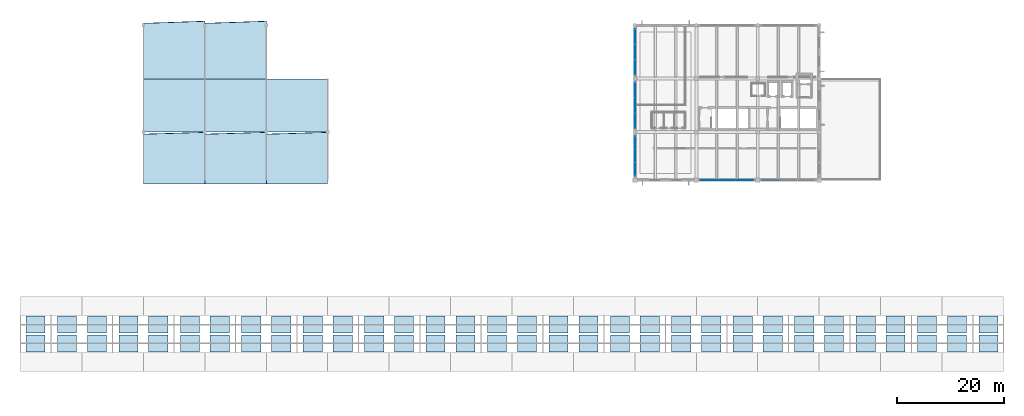
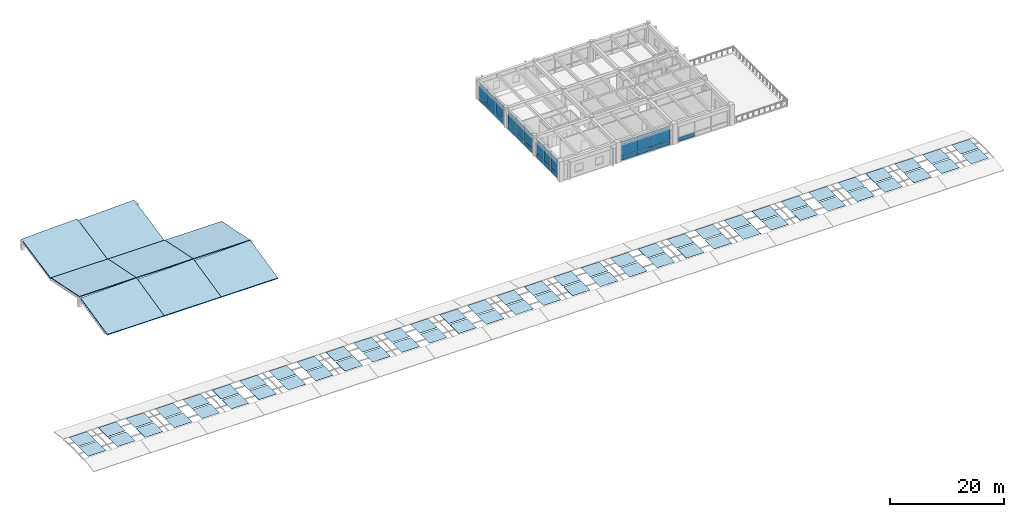
# One storey, part 21 of 27: 101 plates, 8 slabs, 5 elements without a shape of their own.
"""IFC4 building model written with IfcOpenShell, lengths in metres."""

from ifc_helpers import new_model, si_unit, direction, frame, origin, origin_2d, place, context, subcontext, project, spatial, polyline, rectangle, outline, extrude, material, layer, layer_set, type_object, element, aggregate, save


model = new_model("IFC4")

# Units and contexts
model_context = context("Model", 3, precision=1e-05, world=origin(), true_north=direction((0.0, 1.0)))
body_context = subcontext(model_context, "Body", "Model", "MODEL_VIEW")
ifc_project = project(units=[si_unit("LENGTHUNIT", "METRE"), si_unit("AREAUNIT", "SQUARE_METRE"), si_unit("VOLUMEUNIT", "CUBIC_METRE"), si_unit("PLANEANGLEUNIT", "RADIAN"), si_unit("MASSUNIT", "GRAM", prefix="KILO")], contexts=[model_context])

# Site, building, storey
site_placement = place(None, origin())
site = spatial("IfcSite", under=ifc_project, at=site_placement, CompositionType="ELEMENT")
building_placement = place(site_placement, origin())
building = spatial("IfcBuilding", under=site, at=building_placement, Name="Ologun Quay Terminus", CompositionType="ELEMENT")
storey_placement = place(building_placement, frame((0.0, 0.0, 22.4599609375)))
storey = spatial("IfcBuildingStorey", under=building, at=storey_placement, Name="L05", CompositionType="ELEMENT", Elevation=22.4599609375)

# Curtain wall, plates
ifc_material_1 = material(Name="Aluminium 6063-T6", Category="aluminium")
curtain_wall_type = type_object("IfcCurtainWallType", Name="Operations Wing Canteen Curtain Wall L05 10600x4050", PredefinedType="USERDEFINED", material=ifc_material_1)
curtain_wall_1_placement = place(storey_placement, origin())
curtain_wall_1 = element("IfcCurtainWall", 1, at=curtain_wall_1_placement, inside=storey, type_object=curtain_wall_type, Name="CW-28 Curtain Wall CW-L05-156", ObjectType="UNITISED CURTAIN WALL", PredefinedType="USERDEFINED")
ifc_material_2 = material(Name="Glass", Category="glass")
ifc_layer_1 = layer(ifc_material_2, 0.035888671875)
ifc_layer_set_1 = layer_set([ifc_layer_1], Name="Glass")
plate_type_1 = type_object("IfcPlateType", Name="High-Selectivity Harbour Glazed Panel 36", PredefinedType="CURTAIN_PANEL", material=ifc_layer_set_1)
plate_1_placement = place(storey_placement, frame((115.0, 87.859130859375, 0.93017578125), z_axis=(0.0, 0.0, 1.0), x_axis=(0.0, 1.0, 0.0)))
plate_1 = element("IfcPlate", 2, at=plate_1_placement, type_object=plate_type_1, Name="CW-L05-156 Panel B1-2", PredefinedType="CURTAIN_PANEL", context=body_context, shape_type="SweptSolid", body=[
    extrude(rectangle(XDim=2.478271484375, YDim=0.035888671875, at=origin_2d()), origin(), (0.0, 0.0, 1.0), 2.489990234375),
])
plate_2_placement = place(storey_placement, frame((115.0, 87.859130859375, 3.47998046875), z_axis=(0.0, 0.0, 1.0), x_axis=(0.0, 1.0, 0.0)))
plate_2 = element("IfcPlate", 3, at=plate_2_placement, type_object=plate_type_1, Name="CW-L05-156 Panel B1-3", PredefinedType="CURTAIN_PANEL", context=body_context, shape_type="SweptSolid", body=[
    extrude(rectangle(XDim=2.478271484375, YDim=0.035888671875, at=origin_2d()), origin(), (0.0, 0.0, 1.0), 0.639892578125),
])
plate_3_placement = place(storey_placement, frame((115.0, 90.33740234375, 0.93017578125), z_axis=(0.0, 0.0, 1.0), x_axis=(0.0, 1.0, 0.0)))
plate_3 = element("IfcPlate", 4, at=plate_3_placement, type_object=plate_type_1, Name="CW-L05-156 Panel B2-2", PredefinedType="CURTAIN_PANEL", context=body_context, shape_type="SweptSolid", body=[
    extrude(rectangle(XDim=2.478271484375, YDim=0.035888671875, at=origin_2d()), origin(), (0.0, 0.0, 1.0), 2.489990234375),
])
plate_4_placement = place(storey_placement, frame((115.0, 90.33740234375, 3.47998046875), z_axis=(0.0, 0.0, 1.0), x_axis=(0.0, 1.0, 0.0)))
plate_4 = element("IfcPlate", 5, at=plate_4_placement, type_object=plate_type_1, Name="CW-L05-156 Panel B2-3", PredefinedType="CURTAIN_PANEL", context=body_context, shape_type="SweptSolid", body=[
    extrude(rectangle(XDim=2.478271484375, YDim=0.035888671875, at=origin_2d()), origin(), (0.0, 0.0, 1.0), 0.639892578125),
])
plate_5_placement = place(storey_placement, frame((115.0, 92.81591796875, 0.93017578125), z_axis=(0.0, 0.0, 1.0), x_axis=(0.0, 1.0, 0.0)))
plate_5 = element("IfcPlate", 6, at=plate_5_placement, type_object=plate_type_1, Name="CW-L05-156 Panel B3-2", PredefinedType="CURTAIN_PANEL", context=body_context, shape_type="SweptSolid", body=[
    extrude(rectangle(XDim=2.478271484375, YDim=0.035888671875, at=origin_2d()), origin(), (0.0, 0.0, 1.0), 2.489990234375),
])
plate_6_placement = place(storey_placement, frame((115.0, 92.81591796875, 3.47998046875), z_axis=(0.0, 0.0, 1.0), x_axis=(0.0, 1.0, 0.0)))
plate_6 = element("IfcPlate", 7, at=plate_6_placement, type_object=plate_type_1, Name="CW-L05-156 Panel B3-3", PredefinedType="CURTAIN_PANEL", context=body_context, shape_type="SweptSolid", body=[
    extrude(rectangle(XDim=2.478271484375, YDim=0.035888671875, at=origin_2d()), origin(), (0.0, 0.0, 1.0), 0.639892578125),
])

curtain_wall_2_placement = place(storey_placement, origin())
curtain_wall_2 = element("IfcCurtainWall", 8, at=curtain_wall_2_placement, inside=storey, type_object=curtain_wall_type, Name="CW-28 Curtain Wall CW-L05-157", ObjectType="UNITISED CURTAIN WALL", PredefinedType="USERDEFINED")
plate_7_placement = place(storey_placement, frame((115.0, 96.96337890625, 0.93017578125), z_axis=(0.0, 0.0, 1.0), x_axis=(0.0, 1.0, 0.0)))
plate_7 = element("IfcPlate", 9, at=plate_7_placement, type_object=plate_type_1, Name="CW-L05-157 Panel B1-2", PredefinedType="CURTAIN_PANEL", context=body_context, shape_type="SweptSolid", body=[
    extrude(rectangle(XDim=2.836669921875, YDim=0.035888671875, at=origin_2d()), origin(), (0.0, 0.0, 1.0), 2.489990234375),
])
plate_8_placement = place(storey_placement, frame((115.0, 96.96337890625, 3.47998046875), z_axis=(0.0, 0.0, 1.0), x_axis=(0.0, 1.0, 0.0)))
plate_8 = element("IfcPlate", 10, at=plate_8_placement, type_object=plate_type_1, Name="CW-L05-157 Panel B1-3", PredefinedType="CURTAIN_PANEL", context=body_context, shape_type="SweptSolid", body=[
    extrude(rectangle(XDim=2.836669921875, YDim=0.035888671875, at=origin_2d()), origin(), (0.0, 0.0, 1.0), 0.639892578125),
])
plate_9_placement = place(storey_placement, frame((115.0, 99.800048828125, 0.93017578125), z_axis=(0.0, 0.0, 1.0), x_axis=(0.0, 1.0, 0.0)))
plate_9 = element("IfcPlate", 11, at=plate_9_placement, type_object=plate_type_1, Name="CW-L05-157 Panel B2-2", PredefinedType="CURTAIN_PANEL", context=body_context, shape_type="SweptSolid", body=[
    extrude(rectangle(XDim=2.836669921875, YDim=0.035888671875, at=origin_2d()), origin(), (0.0, 0.0, 1.0), 2.489990234375),
])
plate_10_placement = place(storey_placement, frame((115.0, 99.800048828125, 3.47998046875), z_axis=(0.0, 0.0, 1.0), x_axis=(0.0, 1.0, 0.0)))
plate_10 = element("IfcPlate", 12, at=plate_10_placement, type_object=plate_type_1, Name="CW-L05-157 Panel B2-3", PredefinedType="CURTAIN_PANEL", context=body_context, shape_type="SweptSolid", body=[
    extrude(rectangle(XDim=2.836669921875, YDim=0.035888671875, at=origin_2d()), origin(), (0.0, 0.0, 1.0), 0.639892578125),
])
plate_11_placement = place(storey_placement, frame((115.0, 102.63671875, 0.93017578125), z_axis=(0.0, 0.0, 1.0), x_axis=(0.0, 1.0, 0.0)))
plate_11 = element("IfcPlate", 13, at=plate_11_placement, type_object=plate_type_1, Name="CW-L05-157 Panel B3-2", PredefinedType="CURTAIN_PANEL", context=body_context, shape_type="SweptSolid", body=[
    extrude(rectangle(XDim=2.836669921875, YDim=0.035888671875, at=origin_2d()), origin(), (0.0, 0.0, 1.0), 2.489990234375),
])
plate_12_placement = place(storey_placement, frame((115.0, 102.63671875, 3.47998046875), z_axis=(0.0, 0.0, 1.0), x_axis=(0.0, 1.0, 0.0)))
plate_12 = element("IfcPlate", 14, at=plate_12_placement, type_object=plate_type_1, Name="CW-L05-157 Panel B3-3", PredefinedType="CURTAIN_PANEL", context=body_context, shape_type="SweptSolid", body=[
    extrude(rectangle(XDim=2.836669921875, YDim=0.035888671875, at=origin_2d()), origin(), (0.0, 0.0, 1.0), 0.639892578125),
])

curtain_wall_3_placement = place(storey_placement, origin())
curtain_wall_3 = element("IfcCurtainWall", 15, at=curtain_wall_3_placement, inside=storey, type_object=curtain_wall_type, Name="CW-28 Curtain Wall CW-L05-158", ObjectType="UNITISED CURTAIN WALL", PredefinedType="USERDEFINED")
plate_13_placement = place(storey_placement, frame((115.0, 106.96337890625, 0.93017578125), z_axis=(0.0, 0.0, 1.0), x_axis=(0.0, 1.0, 0.0)))
plate_13 = element("IfcPlate", 16, at=plate_13_placement, type_object=plate_type_1, Name="CW-L05-158 Panel B1-2", PredefinedType="CURTAIN_PANEL", context=body_context, shape_type="SweptSolid", body=[
    extrude(rectangle(XDim=2.836669921875, YDim=0.035888671875, at=origin_2d()), origin(), (0.0, 0.0, 1.0), 2.489990234375),
])
plate_14_placement = place(storey_placement, frame((115.0, 106.96337890625, 3.47998046875), z_axis=(0.0, 0.0, 1.0), x_axis=(0.0, 1.0, 0.0)))
plate_14 = element("IfcPlate", 17, at=plate_14_placement, type_object=plate_type_1, Name="CW-L05-158 Panel B1-3", PredefinedType="CURTAIN_PANEL", context=body_context, shape_type="SweptSolid", body=[
    extrude(rectangle(XDim=2.836669921875, YDim=0.035888671875, at=origin_2d()), origin(), (0.0, 0.0, 1.0), 0.639892578125),
])
plate_15_placement = place(storey_placement, frame((115.0, 109.800048828125, 0.93017578125), z_axis=(0.0, 0.0, 1.0), x_axis=(0.0, 1.0, 0.0)))
plate_15 = element("IfcPlate", 18, at=plate_15_placement, type_object=plate_type_1, Name="CW-L05-158 Panel B2-2", PredefinedType="CURTAIN_PANEL", context=body_context, shape_type="SweptSolid", body=[
    extrude(rectangle(XDim=2.836669921875, YDim=0.035888671875, at=origin_2d()), origin(), (0.0, 0.0, 1.0), 2.489990234375),
])
plate_16_placement = place(storey_placement, frame((115.0, 109.800048828125, 3.47998046875), z_axis=(0.0, 0.0, 1.0), x_axis=(0.0, 1.0, 0.0)))
plate_16 = element("IfcPlate", 19, at=plate_16_placement, type_object=plate_type_1, Name="CW-L05-158 Panel B2-3", PredefinedType="CURTAIN_PANEL", context=body_context, shape_type="SweptSolid", body=[
    extrude(rectangle(XDim=2.836669921875, YDim=0.035888671875, at=origin_2d()), origin(), (0.0, 0.0, 1.0), 0.639892578125),
])
plate_17_placement = place(storey_placement, frame((115.0, 112.63671875, 0.93017578125), z_axis=(0.0, 0.0, 1.0), x_axis=(0.0, 1.0, 0.0)))
plate_17 = element("IfcPlate", 20, at=plate_17_placement, type_object=plate_type_1, Name="CW-L05-158 Panel B3-2", PredefinedType="CURTAIN_PANEL", context=body_context, shape_type="SweptSolid", body=[
    extrude(rectangle(XDim=2.836669921875, YDim=0.035888671875, at=origin_2d()), origin(), (0.0, 0.0, 1.0), 2.489990234375),
])
plate_18_placement = place(storey_placement, frame((115.0, 112.63671875, 3.47998046875), z_axis=(0.0, 0.0, 1.0), x_axis=(0.0, 1.0, 0.0)))
plate_18 = element("IfcPlate", 21, at=plate_18_placement, type_object=plate_type_1, Name="CW-L05-158 Panel B3-3", PredefinedType="CURTAIN_PANEL", context=body_context, shape_type="SweptSolid", body=[
    extrude(rectangle(XDim=2.836669921875, YDim=0.035888671875, at=origin_2d()), origin(), (0.0, 0.0, 1.0), 0.639892578125),
])

curtain_wall_4_placement = place(storey_placement, origin())
curtain_wall_4 = element("IfcCurtainWall", 22, at=curtain_wall_4_placement, inside=storey, type_object=curtain_wall_type, Name="CW-28 Curtain Wall CW-L05-152", ObjectType="UNITISED CURTAIN WALL", PredefinedType="USERDEFINED")
ifc_material_3 = material(Name="Aluminium 6063-T6", Category="aluminium")
ifc_layer_2 = layer(ifc_material_3, 0.050048828125)
ifc_layer_set_2 = layer_set([ifc_layer_2], Name="Aluminium 6063-T6")
plate_type_2 = type_object("IfcPlateType", Name="Insulated Aluminium Shadow-Box Spandrel 50", PredefinedType="CURTAIN_PANEL", material=ifc_layer_set_2)
plate_19_placement = place(storey_placement, frame((128.96337890625, 85.800048828125, 0.02978515625), z_axis=(0.0, 0.0, 1.0), x_axis=(1.0, 0.0, 0.0)))
plate_19 = element("IfcPlate", 23, at=plate_19_placement, type_object=plate_type_2, Name="CW-L05-152 Panel B1-1", PredefinedType="CURTAIN_PANEL", context=body_context, shape_type="SweptSolid", body=[
    extrude(rectangle(XDim=3.28662109375, YDim=0.050048828125, at=origin_2d()), origin(), (0.0, 0.0, 1.0), 0.840087890625),
])
plate_20_placement = place(storey_placement, frame((132.25, 85.800048828125, 0.02978515625), z_axis=(0.0, 0.0, 1.0), x_axis=(1.0, 0.0, 0.0)))
plate_20 = element("IfcPlate", 24, at=plate_20_placement, type_object=plate_type_2, Name="CW-L05-152 Panel B2-1", PredefinedType="CURTAIN_PANEL", context=body_context, shape_type="SweptSolid", body=[
    extrude(rectangle(XDim=3.28662109375, YDim=0.050048828125, at=origin_2d()), origin(), (0.0, 0.0, 1.0), 0.840087890625),
])
plate_21_placement = place(storey_placement, frame((135.53662109375, 85.800048828125, 0.02978515625), z_axis=(0.0, 0.0, 1.0), x_axis=(1.0, 0.0, 0.0)))
plate_21 = element("IfcPlate", 25, at=plate_21_placement, type_object=plate_type_2, Name="CW-L05-152 Panel B3-1", PredefinedType="CURTAIN_PANEL", context=body_context, shape_type="SweptSolid", body=[
    extrude(rectangle(XDim=3.28662109375, YDim=0.050048828125, at=origin_2d()), origin(), (0.0, 0.0, 1.0), 0.840087890625),
])

# Curtain wall, plate
curtain_wall_5_placement = place(storey_placement, origin())
curtain_wall_5 = element("IfcCurtainWall", 26, at=curtain_wall_5_placement, inside=storey, type_object=curtain_wall_type, Name="CW-28 Curtain Wall CW-L05-153", ObjectType="UNITISED CURTAIN WALL", PredefinedType="USERDEFINED")
plate_22_placement = place(storey_placement, frame((140.46337890625, 85.800048828125, 0.02978515625), z_axis=(0.0, 0.0, 1.0), x_axis=(1.0, 0.0, 0.0)))
plate_22 = element("IfcPlate", 27, at=plate_22_placement, type_object=plate_type_2, Name="CW-L05-153 Panel B1-1", PredefinedType="CURTAIN_PANEL", context=body_context, shape_type="SweptSolid", body=[
    extrude(rectangle(XDim=3.28662109375, YDim=0.050048828125, at=origin_2d()), origin(), (0.0, 0.0, 1.0), 0.840087890625),
])
aggregate(curtain_wall_5, [plate_22])

# Plate
plate_23_placement = place(storey_placement, frame((115.0, 87.859130859375, 0.02978515625), z_axis=(0.0, 0.0, 1.0), x_axis=(0.0, 1.0, 0.0)))
plate_23 = element("IfcPlate", 28, at=plate_23_placement, type_object=plate_type_2, Name="CW-L05-156 Panel B1-1", PredefinedType="CURTAIN_PANEL", context=body_context, shape_type="SweptSolid", body=[
    extrude(rectangle(XDim=2.478271484375, YDim=0.050048828125, at=origin_2d()), origin(), (0.0, 0.0, 1.0), 0.840087890625),
])

plate_24_placement = place(storey_placement, frame((115.0, 90.33740234375, 0.02978515625), z_axis=(0.0, 0.0, 1.0), x_axis=(0.0, 1.0, 0.0)))
plate_24 = element("IfcPlate", 29, at=plate_24_placement, type_object=plate_type_2, Name="CW-L05-156 Panel B2-1", PredefinedType="CURTAIN_PANEL", context=body_context, shape_type="SweptSolid", body=[
    extrude(rectangle(XDim=2.478271484375, YDim=0.050048828125, at=origin_2d()), origin(), (0.0, 0.0, 1.0), 0.840087890625),
])

plate_25_placement = place(storey_placement, frame((115.0, 92.81591796875, 0.02978515625), z_axis=(0.0, 0.0, 1.0), x_axis=(0.0, 1.0, 0.0)))
plate_25 = element("IfcPlate", 30, at=plate_25_placement, type_object=plate_type_2, Name="CW-L05-156 Panel B3-1", PredefinedType="CURTAIN_PANEL", context=body_context, shape_type="SweptSolid", body=[
    extrude(rectangle(XDim=2.478271484375, YDim=0.050048828125, at=origin_2d()), origin(), (0.0, 0.0, 1.0), 0.840087890625),
])

aggregate(curtain_wall_1, [plate_23, plate_1, plate_2, plate_24, plate_3, plate_4, plate_25, plate_5, plate_6])

plate_26_placement = place(storey_placement, frame((115.0, 96.96337890625, 0.02978515625), z_axis=(0.0, 0.0, 1.0), x_axis=(0.0, 1.0, 0.0)))
plate_26 = element("IfcPlate", 31, at=plate_26_placement, type_object=plate_type_2, Name="CW-L05-157 Panel B1-1", PredefinedType="CURTAIN_PANEL", context=body_context, shape_type="SweptSolid", body=[
    extrude(rectangle(XDim=2.836669921875, YDim=0.050048828125, at=origin_2d()), origin(), (0.0, 0.0, 1.0), 0.840087890625),
])

plate_27_placement = place(storey_placement, frame((115.0, 99.800048828125, 0.02978515625), z_axis=(0.0, 0.0, 1.0), x_axis=(0.0, 1.0, 0.0)))
plate_27 = element("IfcPlate", 32, at=plate_27_placement, type_object=plate_type_2, Name="CW-L05-157 Panel B2-1", PredefinedType="CURTAIN_PANEL", context=body_context, shape_type="SweptSolid", body=[
    extrude(rectangle(XDim=2.836669921875, YDim=0.050048828125, at=origin_2d()), origin(), (0.0, 0.0, 1.0), 0.840087890625),
])

plate_28_placement = place(storey_placement, frame((115.0, 102.63671875, 0.02978515625), z_axis=(0.0, 0.0, 1.0), x_axis=(0.0, 1.0, 0.0)))
plate_28 = element("IfcPlate", 33, at=plate_28_placement, type_object=plate_type_2, Name="CW-L05-157 Panel B3-1", PredefinedType="CURTAIN_PANEL", context=body_context, shape_type="SweptSolid", body=[
    extrude(rectangle(XDim=2.836669921875, YDim=0.050048828125, at=origin_2d()), origin(), (0.0, 0.0, 1.0), 0.840087890625),
])

aggregate(curtain_wall_2, [plate_26, plate_7, plate_8, plate_27, plate_9, plate_10, plate_28, plate_11, plate_12])

plate_29_placement = place(storey_placement, frame((115.0, 106.96337890625, 0.02978515625), z_axis=(0.0, 0.0, 1.0), x_axis=(0.0, 1.0, 0.0)))
plate_29 = element("IfcPlate", 34, at=plate_29_placement, type_object=plate_type_2, Name="CW-L05-158 Panel B1-1", PredefinedType="CURTAIN_PANEL", context=body_context, shape_type="SweptSolid", body=[
    extrude(rectangle(XDim=2.836669921875, YDim=0.050048828125, at=origin_2d()), origin(), (0.0, 0.0, 1.0), 0.840087890625),
])

plate_30_placement = place(storey_placement, frame((115.0, 109.800048828125, 0.02978515625), z_axis=(0.0, 0.0, 1.0), x_axis=(0.0, 1.0, 0.0)))
plate_30 = element("IfcPlate", 35, at=plate_30_placement, type_object=plate_type_2, Name="CW-L05-158 Panel B2-1", PredefinedType="CURTAIN_PANEL", context=body_context, shape_type="SweptSolid", body=[
    extrude(rectangle(XDim=2.836669921875, YDim=0.050048828125, at=origin_2d()), origin(), (0.0, 0.0, 1.0), 0.840087890625),
])

plate_31_placement = place(storey_placement, frame((115.0, 112.63671875, 0.02978515625), z_axis=(0.0, 0.0, 1.0), x_axis=(0.0, 1.0, 0.0)))
plate_31 = element("IfcPlate", 36, at=plate_31_placement, type_object=plate_type_2, Name="CW-L05-158 Panel B3-1", PredefinedType="CURTAIN_PANEL", context=body_context, shape_type="SweptSolid", body=[
    extrude(rectangle(XDim=2.836669921875, YDim=0.050048828125, at=origin_2d()), origin(), (0.0, 0.0, 1.0), 0.840087890625),
])

aggregate(curtain_wall_3, [plate_29, plate_13, plate_14, plate_30, plate_15, plate_16, plate_31, plate_17, plate_18])

# Slabs
ifc_material_4 = material(Name="Concrete C40/50", Category="concrete")
ifc_layer_3 = layer(ifc_material_4, 0.199951171875)
ifc_layer_set_3 = layer_set([ifc_layer_3], Name="Concrete C40/50")
slab_type = type_object("IfcSlabType", Name="Pitched Overhanging Concrete Roof Slab 200", PredefinedType="ROOF", material=ifc_layer_set_3)
slab_1_placement = place(storey_placement, frame((23.0, 85.0400390625, -0.1708984375), z_axis=(-1.583221e-06, -0.220934225029, 0.975288710182), x_axis=(0.999999999999, -3.49788e-07, 1.544098e-06)))
element("IfcSlab", 37, at=slab_1_placement, inside=storey, type_object=slab_type, Name="SL-RF West Pavilion South Pitch 1", PredefinedType="ROOF", context=body_context, shape_type="SweptSolid", body=[
    extrude(outline(polyline([(0.0, 0.0), (11.499999999985588, -6.088049308390284e-22), (11.500000000014413, 9.966253709487502), (-2.882578353412339e-11, 9.607277236455971), (0.0, 0.0)])), origin(), (0.0, 0.0, -1.0), 0.199951171875),
])
slab_2_placement = place(storey_placement, frame((23.0, 94.840087890625, 2.03173828125), z_axis=(0.0, 0.199861739929, 0.979824109171), x_axis=(1.0, 0.0, 0.0)))
element("IfcSlab", 38, at=slab_2_placement, inside=storey, type_object=slab_type, Name="SL-RF West Pavilion Inner Pitch 1", PredefinedType="ROOF", context=body_context, shape_type="SweptSolid", body=[
    extrude(outline(polyline([(0.0, 0.0), (11.5, 0.0), (11.5, 10.12418635360441), (0.0, 10.12418635360441), (0.0, 0.0)])), origin(), (0.0, 0.0, -1.0), 0.199951171875),
])
slab_3_placement = place(storey_placement, frame((23.0, 104.840087890625, -0.15185546875), z_axis=(-1.146822e-06, -0.199615601511, 0.979874283585), x_axis=(0.999999999999, -2.28924e-07, 1.123742e-06)))
element("IfcSlab", 39, at=slab_3_placement, inside=storey, type_object=slab_type, Name="SL-RF West Pavilion Harbour Pitch 1", PredefinedType="ROOF", context=body_context, shape_type="SweptSolid", body=[
    extrude(outline(polyline([(0.0, 0.0), (11.499999999992438, 0.0), (11.500000000007564, 10.940151726928372), (-1.512481752381851e-11, 10.531781228465892), (0.0, 0.0)])), origin(), (0.0, 0.0, -1.0), 0.199951171875),
])
slab_4_placement = place(storey_placement, frame((34.5, 85.0400390625, -0.1708984375), z_axis=(-1.583221e-06, -0.220934225029, 0.975288710182), x_axis=(0.999999999999, -3.49788e-07, 1.544098e-06)))
element("IfcSlab", 40, at=slab_4_placement, inside=storey, type_object=slab_type, Name="SL-RF West Pavilion South Pitch 2", PredefinedType="ROOF", context=body_context, shape_type="SweptSolid", body=[
    extrude(outline(polyline([(0.0, 0.0), (11.499999999985588, -6.088049308390284e-22), (11.500000000014413, 9.966253709487502), (-2.882578353412339e-11, 9.607277236455971), (0.0, 0.0)])), origin(), (0.0, 0.0, -1.0), 0.199951171875),
])
slab_5_placement = place(storey_placement, frame((34.5, 94.840087890625, 2.03173828125), z_axis=(0.0, 0.199861739929, 0.979824109171), x_axis=(1.0, 0.0, 0.0)))
element("IfcSlab", 41, at=slab_5_placement, inside=storey, type_object=slab_type, Name="SL-RF West Pavilion Inner Pitch 2", PredefinedType="ROOF", context=body_context, shape_type="SweptSolid", body=[
    extrude(outline(polyline([(0.0, 0.0), (11.5, 0.0), (11.5, 10.12418635360441), (0.0, 10.12418635360441), (0.0, 0.0)])), origin(), (0.0, 0.0, -1.0), 0.199951171875),
])
slab_6_placement = place(storey_placement, frame((34.5, 104.840087890625, -0.15185546875), z_axis=(-1.146822e-06, -0.199615601511, 0.979874283585), x_axis=(0.999999999999, -2.28924e-07, 1.123742e-06)))
element("IfcSlab", 42, at=slab_6_placement, inside=storey, type_object=slab_type, Name="SL-RF West Pavilion Harbour Pitch 2", PredefinedType="ROOF", context=body_context, shape_type="SweptSolid", body=[
    extrude(outline(polyline([(0.0, 0.0), (11.499999999992438, 0.0), (11.500000000007564, 10.940151726928372), (-1.512481752381851e-11, 10.531781228465892), (0.0, 0.0)])), origin(), (0.0, 0.0, -1.0), 0.199951171875),
])
slab_7_placement = place(storey_placement, frame((46.0, 85.0400390625, -0.1708984375), z_axis=(-1.583221e-06, -0.220934225029, 0.975288710182), x_axis=(0.999999999999, -3.49788e-07, 1.544098e-06)))
element("IfcSlab", 43, at=slab_7_placement, inside=storey, type_object=slab_type, Name="SL-RF West Pavilion South Pitch 3", PredefinedType="ROOF", context=body_context, shape_type="SweptSolid", body=[
    extrude(outline(polyline([(0.0, 0.0), (11.499999999985588, -6.088049308390284e-22), (11.500000000014413, 9.966253709487502), (-2.882578353412339e-11, 9.607277236455971), (0.0, 0.0)])), origin(), (0.0, 0.0, -1.0), 0.199951171875),
])
slab_8_placement = place(storey_placement, frame((46.0, 94.840087890625, 2.03173828125), z_axis=(0.0, 0.199861739929, 0.979824109171), x_axis=(1.0, 0.0, 0.0)))
element("IfcSlab", 44, at=slab_8_placement, inside=storey, type_object=slab_type, Name="SL-RF West Pavilion Inner Pitch 3", PredefinedType="ROOF", context=body_context, shape_type="SweptSolid", body=[
    extrude(outline(polyline([(0.0, 0.0), (11.5, 0.0), (11.5, 10.12418635360441), (0.0, 10.12418635360441), (0.0, 0.0)])), origin(), (0.0, 0.0, -1.0), 0.199951171875),
])

# Plates
ifc_material_5 = material(Name="Glass", Category="glass")
ifc_layer_4 = layer(ifc_material_5, 0.02587890625)
ifc_layer_set_4 = layer_set([ifc_layer_4], Name="Glass")
plate_type_3 = type_object("IfcPlateType", Name="Ridge Skylight Laminated Glass Panel 26", PredefinedType="USERDEFINED", material=ifc_layer_set_4)
for number, where, z_axis, x_axis, name in (
    (45, (2.800048828125, 55.25, 0.505126953125), (0.0, 0.0, 1.0), (1.0, 0.0, 0.0), "SKG-01 Ridge Skylight Panel B1-5"),
    (46, (8.699951171875, 55.25, 0.505126953125), (0.0, 0.0, 1.0), (1.0, 0.0, 0.0), "SKG-01 Ridge Skylight Panel B1-5"),
    (47, (2.800048828125, 58.75, 0.505126953125), (0.0, 0.0, 1.0), (1.0, 0.0, 0.0), "SKG-01 Ridge Skylight Panel B1-6"),
    (48, (8.699951171875, 58.75, 0.505126953125), (0.0, 0.0, 1.0), (1.0, 0.0, 0.0), "SKG-01 Ridge Skylight Panel B1-6"),
    (49, (14.300048828125, 55.25, 0.505126953125), (0.0, 0.0, 1.0), (1.0, 0.0, 0.0), "SKG-01 Ridge Skylight Panel B2-5"),
    (50, (20.199951171875, 55.25, 0.505126953125), (0.0, 0.0, 1.0), (1.0, 0.0, 0.0), "SKG-01 Ridge Skylight Panel B2-5"),
    (51, (14.300048828125, 58.75, 0.505126953125), (0.0, 0.0, 1.0), (1.0, 0.0, 0.0), "SKG-01 Ridge Skylight Panel B2-6"),
    (52, (20.199951171875, 58.75, 0.505126953125), (0.0, 0.0, 1.0), (1.0, 0.0, 0.0), "SKG-01 Ridge Skylight Panel B2-6"),
    (53, (25.800048828125, 55.25, 0.505126953125), (0.0, 0.0, 1.0), (1.0, 0.0, 0.0), "SKG-01 Ridge Skylight Panel B3-5"),
    (54, (31.699951171875, 55.25, 0.505126953125), (0.0, 0.0, 1.0), (1.0, 0.0, 0.0), "SKG-01 Ridge Skylight Panel B3-5"),
    (55, (25.800048828125, 58.75, 0.505126953125), (0.0, 0.0, 1.0), (1.0, 0.0, 0.0), "SKG-01 Ridge Skylight Panel B3-6"),
    (56, (31.699951171875, 58.75, 0.505126953125), (0.0, 0.0, 1.0), (1.0, 0.0, 0.0), "SKG-01 Ridge Skylight Panel B3-6"),
    (57, (37.300048828125, 55.25, 0.505126953125), (0.0, 0.0, 1.0), (1.0, 0.0, 0.0), "SKG-01 Ridge Skylight Panel B4-5"),
    (58, (43.199951171875, 55.25, 0.505126953125), (0.0, 0.0, 1.0), (1.0, 0.0, 0.0), "SKG-01 Ridge Skylight Panel B4-5"),
    (59, (37.300048828125, 58.75, 0.505126953125), (0.0, 0.0, 1.0), (1.0, 0.0, 0.0), "SKG-01 Ridge Skylight Panel B4-6"),
    (60, (43.199951171875, 58.75, 0.505126953125), (0.0, 0.0, 1.0), (1.0, 0.0, 0.0), "SKG-01 Ridge Skylight Panel B4-6"),
    (61, (48.800048828125, 55.25, 0.505126953125), (0.0, 0.0, 1.0), (1.0, 0.0, 0.0), "SKG-01 Ridge Skylight Panel B5-5"),
    (62, (54.699951171875, 55.25, 0.505126953125), (0.0, 0.0, 1.0), (1.0, 0.0, 0.0), "SKG-01 Ridge Skylight Panel B5-5"),
    (63, (48.800048828125, 58.75, 0.505126953125), (0.0, 0.0, 1.0), (1.0, 0.0, 0.0), "SKG-01 Ridge Skylight Panel B5-6"),
    (64, (54.699951171875, 58.75, 0.505126953125), (0.0, 0.0, 1.0), (1.0, 0.0, 0.0), "SKG-01 Ridge Skylight Panel B5-6"),
    (65, (60.300048828125, 55.25, 0.505126953125), (0.0, 0.0, 1.0), (1.0, 0.0, 0.0), "SKG-01 Ridge Skylight Panel B6-5"),
    (66, (66.199951171875, 55.25, 0.505126953125), (0.0, 0.0, 1.0), (1.0, 0.0, 0.0), "SKG-01 Ridge Skylight Panel B6-5"),
    (67, (60.300048828125, 58.75, 0.505126953125), (0.0, 0.0, 1.0), (1.0, 0.0, 0.0), "SKG-01 Ridge Skylight Panel B6-6"),
    (68, (66.199951171875, 58.75, 0.505126953125), (0.0, 0.0, 1.0), (1.0, 0.0, 0.0), "SKG-01 Ridge Skylight Panel B6-6"),
    (69, (71.800048828125, 55.25, 0.505126953125), (0.0, 0.0, 1.0), (1.0, 0.0, 0.0), "SKG-01 Ridge Skylight Panel B7-5"),
    (70, (77.699951171875, 55.25, 0.505126953125), (0.0, 0.0, 1.0), (1.0, 0.0, 0.0), "SKG-01 Ridge Skylight Panel B7-5"),
    (71, (71.800048828125, 58.75, 0.505126953125), (0.0, 0.0, 1.0), (1.0, 0.0, 0.0), "SKG-01 Ridge Skylight Panel B7-6"),
    (72, (77.699951171875, 58.75, 0.505126953125), (0.0, 0.0, 1.0), (1.0, 0.0, 0.0), "SKG-01 Ridge Skylight Panel B7-6"),
    (73, (83.300048828125, 55.25, 0.505126953125), (0.0, 0.0, 1.0), (1.0, 0.0, 0.0), "SKG-01 Ridge Skylight Panel B8-5"),
    (74, (89.199951171875, 55.25, 0.505126953125), (0.0, 0.0, 1.0), (1.0, 0.0, 0.0), "SKG-01 Ridge Skylight Panel B8-5"),
    (75, (83.300048828125, 58.75, 0.505126953125), (0.0, 0.0, 1.0), (1.0, 0.0, 0.0), "SKG-01 Ridge Skylight Panel B8-6"),
    (76, (89.199951171875, 58.75, 0.505126953125), (0.0, 0.0, 1.0), (1.0, 0.0, 0.0), "SKG-01 Ridge Skylight Panel B8-6"),
    (77, (94.800048828125, 55.25, 0.505126953125), (0.0, 0.0, 1.0), (1.0, 0.0, 0.0), "SKG-01 Ridge Skylight Panel B9-5"),
    (78, (100.699951171875, 55.25, 0.505126953125), (0.0, 0.0, 1.0), (1.0, 0.0, 0.0), "SKG-01 Ridge Skylight Panel B9-5"),
    (79, (94.800048828125, 58.75, 0.505126953125), (0.0, 0.0, 1.0), (1.0, 0.0, 0.0), "SKG-01 Ridge Skylight Panel B9-6"),
    (80, (100.699951171875, 58.75, 0.505126953125), (0.0, 0.0, 1.0), (1.0, 0.0, 0.0), "SKG-01 Ridge Skylight Panel B9-6"),
    (81, (106.300048828125, 55.25, 0.505126953125), (0.0, 0.0, 1.0), (1.0, 0.0, 0.0), "SKG-01 Ridge Skylight Panel B10-5"),
    (82, (112.199951171875, 55.25, 0.505126953125), (0.0, 0.0, 1.0), (1.0, 0.0, 0.0), "SKG-01 Ridge Skylight Panel B10-5"),
    (83, (106.300048828125, 58.75, 0.505126953125), (0.0, 0.0, 1.0), (1.0, 0.0, 0.0), "SKG-01 Ridge Skylight Panel B10-6"),
    (84, (112.199951171875, 58.75, 0.505126953125), (0.0, 0.0, 1.0), (1.0, 0.0, 0.0), "SKG-01 Ridge Skylight Panel B10-6"),
    (85, (117.800048828125, 55.25, 0.505126953125), (0.0, 0.0, 1.0), (1.0, 0.0, 0.0), "SKG-01 Ridge Skylight Panel B11-5"),
    (86, (123.699951171875, 55.25, 0.505126953125), (0.0, 0.0, 1.0), (1.0, 0.0, 0.0), "SKG-01 Ridge Skylight Panel B11-5"),
    (87, (117.800048828125, 58.75, 0.505126953125), (0.0, 0.0, 1.0), (1.0, 0.0, 0.0), "SKG-01 Ridge Skylight Panel B11-6"),
    (88, (123.699951171875, 58.75, 0.505126953125), (0.0, 0.0, 1.0), (1.0, 0.0, 0.0), "SKG-01 Ridge Skylight Panel B11-6"),
    (89, (129.300048828125, 55.25, 0.505126953125), (0.0, 0.0, 1.0), (1.0, 0.0, 0.0), "SKG-01 Ridge Skylight Panel B12-5"),
    (90, (135.199951171875, 55.25, 0.505126953125), (0.0, 0.0, 1.0), (1.0, 0.0, 0.0), "SKG-01 Ridge Skylight Panel B12-5"),
    (91, (129.300048828125, 58.75, 0.505126953125), (0.0, 0.0, 1.0), (1.0, 0.0, 0.0), "SKG-01 Ridge Skylight Panel B12-6"),
    (92, (135.199951171875, 58.75, 0.505126953125), (0.0, 0.0, 1.0), (1.0, 0.0, 0.0), "SKG-01 Ridge Skylight Panel B12-6"),
    (93, (140.800048828125, 55.25, 0.505126953125), (0.0, 0.0, 1.0), (1.0, 0.0, 0.0), "SKG-01 Ridge Skylight Panel B13-5"),
    (94, (146.699951171875, 55.25, 0.505126953125), (0.0, 0.0, 1.0), (1.0, 0.0, 0.0), "SKG-01 Ridge Skylight Panel B13-5"),
    (95, (140.800048828125, 58.75, 0.505126953125), (0.0, 0.0, 1.0), (1.0, 0.0, 0.0), "SKG-01 Ridge Skylight Panel B13-6"),
    (96, (146.699951171875, 58.75, 0.505126953125), (0.0, 0.0, 1.0), (1.0, 0.0, 0.0), "SKG-01 Ridge Skylight Panel B13-6"),
    (97, (152.300048828125, 55.25, 0.505126953125), (0.0, 0.0, 1.0), (1.0, 0.0, 0.0), "SKG-01 Ridge Skylight Panel B14-5"),
    (98, (158.199951171875, 55.25, 0.505126953125), (0.0, 0.0, 1.0), (1.0, 0.0, 0.0), "SKG-01 Ridge Skylight Panel B14-5"),
    (99, (152.300048828125, 58.75, 0.505126953125), (0.0, 0.0, 1.0), (1.0, 0.0, 0.0), "SKG-01 Ridge Skylight Panel B14-6"),
    (100, (158.199951171875, 58.75, 0.505126953125), (0.0, 0.0, 1.0), (1.0, 0.0, 0.0), "SKG-01 Ridge Skylight Panel B14-6"),
    (101, (163.800048828125, 55.25, 0.505126953125), (0.0, 0.0, 1.0), (1.0, 0.0, 0.0), "SKG-01 Ridge Skylight Panel B15-5"),
    (102, (169.699951171875, 55.25, 0.505126953125), (0.0, 0.0, 1.0), (1.0, 0.0, 0.0), "SKG-01 Ridge Skylight Panel B15-5"),
    (103, (163.800048828125, 58.75, 0.505126953125), (0.0, 0.0, 1.0), (1.0, 0.0, 0.0), "SKG-01 Ridge Skylight Panel B15-6"),
    (104, (169.699951171875, 58.75, 0.505126953125), (0.0, 0.0, 1.0), (1.0, 0.0, 0.0), "SKG-01 Ridge Skylight Panel B15-6"),
    (105, (175.300048828125, 55.25, 0.505126953125), (0.0, 0.0, 1.0), (1.0, 0.0, 0.0), "SKG-01 Ridge Skylight Panel B16-5"),
    (106, (181.199951171875, 55.25, 0.505126953125), (0.0, 0.0, 1.0), (1.0, 0.0, 0.0), "SKG-01 Ridge Skylight Panel B16-5"),
    (107, (175.300048828125, 58.75, 0.505126953125), (0.0, 0.0, 1.0), (1.0, 0.0, 0.0), "SKG-01 Ridge Skylight Panel B16-6"),
    (108, (181.199951171875, 58.75, 0.505126953125), (0.0, 0.0, 1.0), (1.0, 0.0, 0.0), "SKG-01 Ridge Skylight Panel B16-6"),
):
    element("IfcPlate", number, at=place(storey_placement, frame(where, z_axis=z_axis, x_axis=x_axis)), inside=storey, type_object=plate_type_3, Name=name, ObjectType="SKYLIGHT GLAZING", PredefinedType="USERDEFINED", context=body_context, shape_type="SweptSolid", body=[
        extrude(rectangle(XDim=3.60009765625, YDim=3.199951171875, at=origin_2d()), origin(), (0.0, 0.0, 1.0), 0.02587890625),
    ])

# Plate
ifc_material_6 = material(Name="Glass", Category="glass")
ifc_layer_5 = layer(ifc_material_6, 0.028076171875)
ifc_layer_set_5 = layer_set([ifc_layer_5], Name="Glass")
plate_type_4 = type_object("IfcPlateType", Name="Solar-Control Double Glazed Panel 28", PredefinedType="CURTAIN_PANEL", material=ifc_layer_set_5)
plate_32_placement = place(storey_placement, frame((128.96337890625, 85.800048828125, 0.93017578125), z_axis=(0.0, 0.0, 1.0), x_axis=(1.0, 0.0, 0.0)))
plate_32 = element("IfcPlate", 109, at=plate_32_placement, type_object=plate_type_4, Name="CW-L05-152 Panel B1-2", PredefinedType="CURTAIN_PANEL", context=body_context, shape_type="SweptSolid", body=[
    extrude(rectangle(XDim=3.28662109375, YDim=0.028076171875, at=origin_2d()), origin(), (0.0, 0.0, 1.0), 2.489990234375),
])

plate_33_placement = place(storey_placement, frame((128.96337890625, 85.800048828125, 3.47998046875), z_axis=(0.0, 0.0, 1.0), x_axis=(1.0, 0.0, 0.0)))
plate_33 = element("IfcPlate", 110, at=plate_33_placement, type_object=plate_type_4, Name="CW-L05-152 Panel B1-3", PredefinedType="CURTAIN_PANEL", context=body_context, shape_type="SweptSolid", body=[
    extrude(rectangle(XDim=3.28662109375, YDim=0.028076171875, at=origin_2d()), origin(), (0.0, 0.0, 1.0), 0.639892578125),
])

plate_34_placement = place(storey_placement, frame((132.25, 85.800048828125, 0.93017578125), z_axis=(0.0, 0.0, 1.0), x_axis=(1.0, 0.0, 0.0)))
plate_34 = element("IfcPlate", 111, at=plate_34_placement, type_object=plate_type_4, Name="CW-L05-152 Panel B2-2", PredefinedType="CURTAIN_PANEL", context=body_context, shape_type="SweptSolid", body=[
    extrude(rectangle(XDim=3.28662109375, YDim=0.028076171875, at=origin_2d()), origin(), (0.0, 0.0, 1.0), 2.489990234375),
])

plate_35_placement = place(storey_placement, frame((132.25, 85.800048828125, 3.47998046875), z_axis=(0.0, 0.0, 1.0), x_axis=(1.0, 0.0, 0.0)))
plate_35 = element("IfcPlate", 112, at=plate_35_placement, type_object=plate_type_4, Name="CW-L05-152 Panel B2-3", PredefinedType="CURTAIN_PANEL", context=body_context, shape_type="SweptSolid", body=[
    extrude(rectangle(XDim=3.28662109375, YDim=0.028076171875, at=origin_2d()), origin(), (0.0, 0.0, 1.0), 0.639892578125),
])

plate_36_placement = place(storey_placement, frame((135.53662109375, 85.800048828125, 0.93017578125), z_axis=(0.0, 0.0, 1.0), x_axis=(1.0, 0.0, 0.0)))
plate_36 = element("IfcPlate", 113, at=plate_36_placement, type_object=plate_type_4, Name="CW-L05-152 Panel B3-2", PredefinedType="CURTAIN_PANEL", context=body_context, shape_type="SweptSolid", body=[
    extrude(rectangle(XDim=3.28662109375, YDim=0.028076171875, at=origin_2d()), origin(), (0.0, 0.0, 1.0), 2.489990234375),
])

plate_37_placement = place(storey_placement, frame((135.53662109375, 85.800048828125, 3.47998046875), z_axis=(0.0, 0.0, 1.0), x_axis=(1.0, 0.0, 0.0)))
plate_37 = element("IfcPlate", 114, at=plate_37_placement, type_object=plate_type_4, Name="CW-L05-152 Panel B3-3", PredefinedType="CURTAIN_PANEL", context=body_context, shape_type="SweptSolid", body=[
    extrude(rectangle(XDim=3.28662109375, YDim=0.028076171875, at=origin_2d()), origin(), (0.0, 0.0, 1.0), 0.639892578125),
])

aggregate(curtain_wall_4, [plate_19, plate_32, plate_33, plate_20, plate_34, plate_35, plate_21, plate_36, plate_37])

save(model, "model.ifc")
